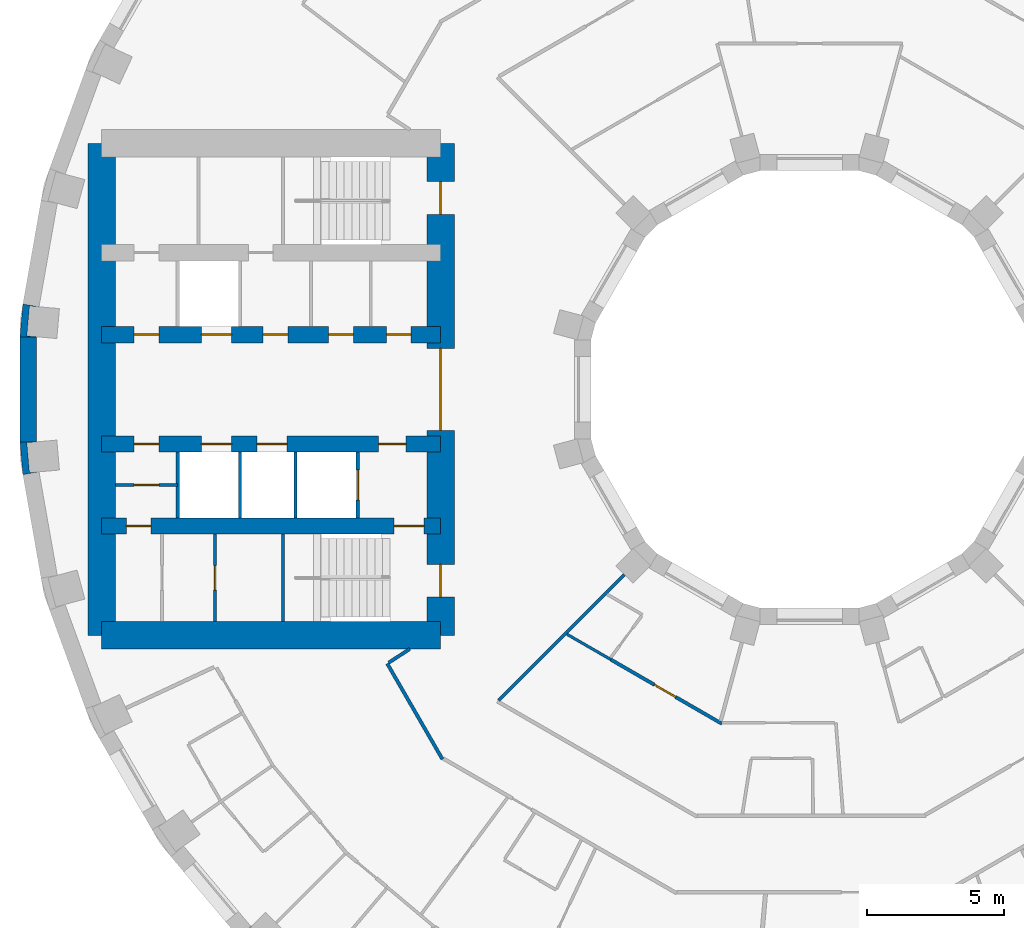
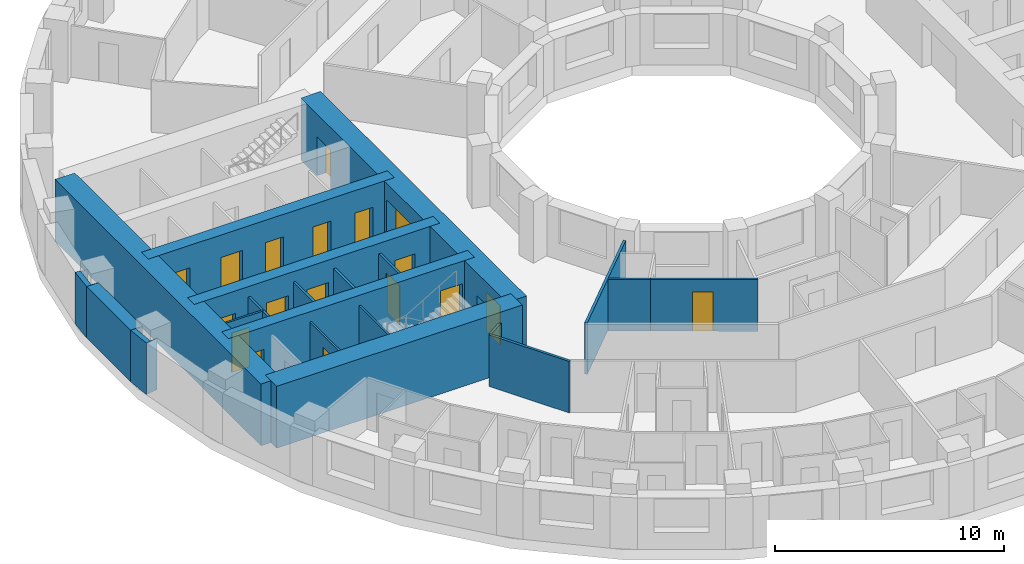
# One storey, part 6 of 15: 21 walls, 18 doors, 18 openings.
"""IFC4 building model written with IfcOpenShell, lengths in metres."""

from ifc_helpers import new_model, si_unit, direction, frame, frame_2d, origin, place, context, subcontext, project, spatial, polyline, rectangle, outline, extrude, material, layer, layer_set, type_object, element, fill, save


model = new_model("IFC4")

# Units and contexts
model_context = context("Model", 3, precision=1e-05, world=origin(), true_north=direction((0.0, 1.0)))
body_context = subcontext(model_context, "Body", "Model", "MODEL_VIEW")
ifc_project = project(units=[si_unit("LENGTHUNIT", "METRE"), si_unit("AREAUNIT", "SQUARE_METRE"), si_unit("VOLUMEUNIT", "CUBIC_METRE"), si_unit("PLANEANGLEUNIT", "RADIAN"), si_unit("MASSUNIT", "GRAM", prefix="KILO")], contexts=[model_context])

# Site, building, storey
site_placement = place(None, origin())
site = spatial("IfcSite", under=ifc_project, at=site_placement, CompositionType="ELEMENT")
building_placement = place(site_placement, origin())
building = spatial("IfcBuilding", under=site, at=building_placement, Name="Saqina Gate Tower", CompositionType="ELEMENT")
storey_placement = place(building_placement, frame((0.0, 0.0, 42.800048828125)))
storey = spatial("IfcBuildingStorey", under=building, at=storey_placement, Name="L11", CompositionType="ELEMENT", Elevation=42.800048828125)

# Walls
ifc_material_1 = material(Name="Brick masonry (red)", Category="masonry")
wall_type_1 = type_object("IfcWallType", Name="BRICK PIER COPING RED", PredefinedType="SOLIDWALL", material=ifc_material_1)
wall_1_placement = place(storey_placement, origin())
element("IfcWall", 1, at=wall_1_placement, inside=storey, type_object=wall_type_1, Name="Pier cap L11 column 18", PredefinedType="SOLIDWALL", context=body_context, shape_type="SweptSolid", body=[
    extrude(outline(polyline([(-28.78466796875, 3.122802734375), (-28.8896484375, 1.9228515625), (-28.28955078125, 1.9228515625), (-28.638671875, 1.95361328125), (-28.54296875, 3.04931640625), (-28.19384765625, 3.018798828125), (-28.78466796875, 3.122802734375)])), origin(), (0.0, 0.0, 1.0), 2.75),
])
wall_2_placement = place(storey_placement, origin())
element("IfcWall", 2, at=wall_2_placement, inside=storey, type_object=wall_type_1, Name="Pier cap L11 column 19", PredefinedType="SOLIDWALL", context=body_context, shape_type="SweptSolid", body=[
    extrude(outline(polyline([(-28.8896484375, -1.9228515625), (-28.78466796875, -3.122802734375), (-28.19384765625, -3.018798828125), (-28.54296875, -3.04931640625), (-28.638671875, -1.95361328125), (-28.28955078125, -1.9228515625), (-28.8896484375, -1.9228515625)])), origin(), (0.0, 0.0, 1.0), 2.75),
])

# Wall, opening, door
ifc_material_2 = material(Name="Gypsum board on steel studs", Category="steel")
ifc_layer_1 = layer(ifc_material_2, 0.10009765625)
ifc_layer_set_1 = layer_set([ifc_layer_1], Name="CORE PARTITION")
wall_type_2 = type_object("IfcWallType", Name="CORE PARTITION", PredefinedType="PARTITIONING", material=ifc_layer_set_1)
wall_3_placement = place(storey_placement, frame((-23.1201171875, -3.5, 0.0), z_axis=(0.0, 0.0, 1.0), x_axis=(-1.0, 0.0, 0.0)))
wall_3 = element("IfcWall", 3, at=wall_3_placement, inside=storey, type_object=wall_type_2, Name="L11-CP-W09", PredefinedType="PARTITIONING", context=body_context, shape_type="SweptSolid", body=[
    extrude(rectangle(XDim=2.27978515625, YDim=0.10009765625, at=frame_2d((1.139892578125, 0.0))), origin(), (0.0, 0.0, 1.0), 2.75),
])
opening_1_placement = place(wall_3_placement, frame((0.68994140625, 0.0, 0.0)))
opening_1 = element("IfcOpeningElement", 4, at=opening_1_placement, cuts=wall_3, Name="Opening G02-D114", PredefinedType="OPENING", context=body_context, shape_type="SweptSolid", body=[
    extrude(rectangle(XDim=0.89990234375, YDim=2.10009765625, at=frame_2d((0.449951171875, 1.050048828125))), frame((0.0, 0.06201171875, 0.0), z_axis=(0.0, -1.0, 0.0), x_axis=(1.0, 0.0, 0.0)), (0.0, 0.0, 1.0), 0.1240234375),
])
ifc_material_3 = material(Name="Steel-framed fire door leaf, EI 60", Category="steel")
door_type_1 = type_object("IfcDoorType", Name="SERVICE ROOM DOOR 900", OperationType="SINGLE_SWING_LEFT", PredefinedType="DOOR", material=ifc_material_3)
door_1_placement = place(opening_1_placement, origin())
door_1 = element("IfcDoor", 5, at=door_1_placement, inside=storey, type_object=door_type_1, Name="L11-CD-W25", OperationType="SINGLE_SWING_RIGHT", OverallHeight=2.10009765625, OverallWidth=0.89990234375, PredefinedType="DOOR", context=body_context, shape_type="SweptSolid", body=[
    extrude(rectangle(XDim=0.89990234375, YDim=2.10009765625, at=frame_2d((0.449951171875, 1.050048828125))), frame((0.0, 0.02490234375, 0.0), z_axis=(0.0, -1.0, 0.0), x_axis=(1.0, 0.0, 0.0)), (0.0, 0.0, 1.0), 0.050048828125),
])
fill(opening_1, door_1)

wall_4_placement = place(storey_placement, frame((-21.751953125, -8.5, 0.0), z_axis=(0.0, 0.0, 1.0), x_axis=(0.0, 1.0, 0.0)))
wall_4 = element("IfcWall", 6, at=wall_4_placement, inside=storey, type_object=wall_type_2, Name="L11-CP-W13", PredefinedType="PARTITIONING", context=body_context, shape_type="SweptSolid", body=[
    extrude(rectangle(XDim=3.199951171875, YDim=0.10009765625, at=frame_2d((1.60009765625, 0.0))), origin(), (0.0, 0.0, 1.0), 2.75),
])
opening_2_placement = place(wall_4_placement, frame((1.14990234375, 0.0, 0.0)))
opening_2 = element("IfcOpeningElement", 7, at=opening_2_placement, cuts=wall_4, Name="Opening G02-D116", PredefinedType="OPENING", context=body_context, shape_type="SweptSolid", body=[
    extrude(rectangle(XDim=0.89990234375, YDim=2.10009765625, at=frame_2d((0.449951171875, 1.050048828125))), frame((0.0, 0.06201171875, 0.0), z_axis=(0.0, -1.0, 0.0), x_axis=(1.0, 0.0, 0.0)), (0.0, 0.0, 1.0), 0.1240234375),
])
door_2_placement = place(opening_2_placement, frame((0.89990234375, 0.0, 0.0), z_axis=(0.0, 0.0, 1.0), x_axis=(-1.0, 0.0, 0.0)))
door_2 = element("IfcDoor", 8, at=door_2_placement, inside=storey, type_object=door_type_1, Name="L11-CD-W27", OperationType="SINGLE_SWING_RIGHT", OverallHeight=2.10009765625, OverallWidth=0.89990234375, PredefinedType="DOOR", context=body_context, shape_type="SweptSolid", body=[
    extrude(rectangle(XDim=0.89990234375, YDim=2.10009765625, at=frame_2d((0.449951171875, 1.050048828125))), frame((0.0, 0.02490234375, 0.0), z_axis=(0.0, -1.0, 0.0), x_axis=(1.0, 0.0, 0.0)), (0.0, 0.0, 1.0), 0.050048828125),
])
fill(opening_2, door_2)

# Walls
ifc_material_4 = material(Name="Glazed ceramic tile", Category="ceramic")
ifc_layer_2 = layer(ifc_material_4, 0.60009765625)
ifc_layer_set_2 = layer_set([ifc_layer_2], Name="FW-TILE")
wall_type_3 = type_object("IfcWallType", Name="FW-TILE", PredefinedType="SOLIDWALL", material=ifc_layer_set_2)
wall_5_placement = place(storey_placement, frame((-28.589599609375, 1.9228515625, 0.0), z_axis=(0.0, 0.0, 1.0), x_axis=(0.0, -1.0, 0.0)))
element("IfcWall", 9, at=wall_5_placement, inside=storey, type_object=wall_type_3, Name="Facade wall L11 facet 18", PredefinedType="SOLIDWALL", context=body_context, shape_type="SweptSolid", body=[
    extrude(rectangle(XDim=3.845703125, YDim=0.60009765625, at=frame_2d((1.9228515625, 0.0))), origin(), (0.0, 0.0, 1.0), 2.75),
])
ifc_material_5 = material(Name="Gypsum board on steel studs, 100 mm", Category="steel")
ifc_layer_3 = layer(ifc_material_5, 0.10009765625)
ifc_layer_set_3 = layer_set([ifc_layer_3], Name="PARTITION 100")
wall_type_4 = type_object("IfcWallType", Name="PARTITION 100", PredefinedType="PARTITIONING", material=ifc_layer_set_3)
wall_6_placement = place(storey_placement, frame((-8.876953125, -8.962158203125, 0.0), z_axis=(0.0, 0.0, 1.0), x_axis=(0.866196532088, -0.499703479875, 0.0)))
element("IfcWall", 10, at=wall_6_placement, inside=storey, type_object=wall_type_4, Name="PARTITION PW3-43", PredefinedType="PARTITIONING", context=body_context, shape_type="SweptSolid", body=[
    extrude(rectangle(XDim=1.856689453125, YDim=0.10009765625, at=frame_2d((0.92822265625, 0.0))), origin(), (0.0, 0.0, 1.0), 2.75),
])
ifc_material_6 = material(Name="Gypsum board on steel studs, 125 mm, fire rated", Category="steel")
ifc_layer_4 = layer(ifc_material_6, 0.125)
ifc_layer_set_4 = layer_set([ifc_layer_4], Name="PARTITION EI 30 125")
wall_type_5 = type_object("IfcWallType", Name="PARTITION EI 30 125", PredefinedType="PARTITIONING", material=ifc_layer_set_4)
wall_7_placement = place(storey_placement, frame((-15.452880859375, -10.034912109375, 0.0), z_axis=(0.0, 0.0, 1.0), x_axis=(0.499949220301, -0.866054719472, 0.0)))
element("IfcWall", 11, at=wall_7_placement, inside=storey, type_object=wall_type_5, Name="PARTITION PW1-03", PredefinedType="PARTITIONING", context=body_context, shape_type="SweptSolid", body=[
    extrude(rectangle(XDim=4.03857421875, YDim=0.125, at=frame_2d((2.019287109375, 0.0))), origin(), (0.0, 0.0, 1.0), 2.75),
])

# Wall, opening, door
wall_8_placement = place(storey_placement, frame((-7.268798828125, -9.889892578125, 0.0), z_axis=(0.0, 0.0, 1.0), x_axis=(0.865954211699, -0.50012328804, 0.0)))
wall_8 = element("IfcWall", 12, at=wall_8_placement, inside=storey, type_object=wall_type_5, Name="PARTITION PW1-18", PredefinedType="PARTITIONING", context=body_context, shape_type="SweptSolid", body=[
    extrude(rectangle(XDim=4.692138671875, YDim=0.125, at=frame_2d((2.34619140625, 0.0))), origin(), (0.0, 0.0, 1.0), 2.75),
])
opening_3_placement = place(wall_8_placement, frame((1.83447265625, 0.0, 0.0)))
opening_3 = element("IfcOpeningElement", 13, at=opening_3_placement, cuts=wall_8, Name="Opening G02-D44", PredefinedType="OPENING", context=body_context, shape_type="SweptSolid", body=[
    extrude(rectangle(XDim=0.89990234375, YDim=2.10009765625, at=frame_2d((0.449951171875, 1.050048828125))), frame((0.0, 0.074462890625, 0.0), z_axis=(0.0, -1.0, 0.0), x_axis=(1.0, 0.0, 0.0)), (0.0, 0.0, 1.0), 0.14892578125),
])
ifc_material_7 = material(Name="Fire door leaf EI 30, 900 mm")
door_type_2 = type_object("IfcDoorType", Name="DOOR 900 EI 30", OperationType="SINGLE_SWING_LEFT", PredefinedType="DOOR", material=ifc_material_7)
door_3_placement = place(opening_3_placement, frame((0.89990234375, 0.0, 0.0), z_axis=(0.0, 0.0, 1.0), x_axis=(-1.0, 0.0, 0.0)))
door_3 = element("IfcDoor", 14, at=door_3_placement, inside=storey, type_object=door_type_2, Name="DOOR G02-D44", OperationType="SINGLE_SWING_RIGHT", OverallHeight=2.10009765625, OverallWidth=0.89990234375, PredefinedType="DOOR", context=body_context, shape_type="SweptSolid", body=[
    extrude(rectangle(XDim=0.89990234375, YDim=2.10009765625, at=frame_2d((0.449951171875, 1.050048828125))), frame((0.0, 0.02490234375, 0.0), z_axis=(0.0, -1.0, 0.0), x_axis=(1.0, 0.0, 0.0)), (0.0, 0.0, 1.0), 0.050048828125),
])
fill(opening_3, door_3)

# Walls
wall_9_placement = place(storey_placement, frame((-15.400634765625, -10.0009765625, 0.0), z_axis=(0.0, 0.0, 1.0), x_axis=(0.838764779401, 0.544493934619, 0.0)))
element("IfcWall", 15, at=wall_9_placement, inside=storey, type_object=wall_type_5, Name="PARTITION PW1-44", PredefinedType="PARTITIONING", context=body_context, shape_type="SweptSolid", body=[
    extrude(rectangle(XDim=0.920166015625, YDim=0.125, at=frame_2d((0.4599609375, 0.0))), origin(), (0.0, 0.0, 1.0), 2.75),
])
wall_10_placement = place(storey_placement, frame((-11.375732421875, -11.375732421875, 0.0), z_axis=(0.0, 0.0, 1.0), x_axis=(0.707106781187, 0.707106781187, 0.0)))
element("IfcWall", 16, at=wall_10_placement, inside=storey, type_object=wall_type_5, Name="PARTITION PW1-46", PredefinedType="PARTITIONING", context=body_context, shape_type="SweptSolid", body=[
    extrude(rectangle(XDim=6.49560546875, YDim=0.125, at=frame_2d((3.247802734375, 0.0))), origin(), (0.0, 0.0, 1.0), 2.75),
])

# Wall, opening, door
ifc_material_8 = material(Name="Autoclaved aerated concrete block", Category="concrete")
ifc_layer_5 = layer(ifc_material_8, 0.1201171875)
ifc_layer_set_5 = layer_set([ifc_layer_5], Name="SHAFT PARTITION")
wall_type_6 = type_object("IfcWallType", Name="SHAFT PARTITION", PredefinedType="PARTITIONING", material=ifc_layer_set_5)
wall_11_placement = place(storey_placement, frame((-16.530029296875, -4.699951171875, 0.0), z_axis=(0.0, 0.0, 1.0), x_axis=(0.0, 1.0, 0.0)))
wall_11 = element("IfcWall", 17, at=wall_11_placement, inside=storey, type_object=wall_type_6, Name="L11-CP-W05", PredefinedType="PARTITIONING", context=body_context, shape_type="SweptSolid", body=[
    extrude(rectangle(XDim=2.39990234375, YDim=0.1201171875, at=frame_2d((1.199951171875, 0.0))), origin(), (0.0, 0.0, 1.0), 2.75),
])
opening_4_placement = place(wall_11_placement, frame((0.64990234375, 0.0, 0.0)))
opening_4 = element("IfcOpeningElement", 18, at=opening_4_placement, cuts=wall_11, Name="Opening G02-LD6", PredefinedType="OPENING", context=body_context, shape_type="SweptSolid", body=[
    extrude(rectangle(XDim=1.10009765625, YDim=2.10009765625, at=frame_2d((0.550048828125, 1.050048828125))), frame((0.0, 0.072021484375, 0.0), z_axis=(0.0, -1.0, 0.0), x_axis=(1.0, 0.0, 0.0)), (0.0, 0.0, 1.0), 0.14404296875),
])
ifc_material_9 = material(Name="Stainless steel", Category="steel")
door_type_3 = type_object("IfcDoorType", Name="LANDING DOOR", OperationType="DOUBLE_DOOR_SLIDING", PredefinedType="DOOR", material=ifc_material_9)
door_4_placement = place(opening_4_placement, origin())
door_4 = element("IfcDoor", 19, at=door_4_placement, inside=storey, type_object=door_type_3, Name="LANDING DOOR FF2", OperationType="DOUBLE_DOOR_SLIDING", OverallHeight=2.10009765625, OverallWidth=1.10009765625, PredefinedType="DOOR", context=body_context, shape_type="SweptSolid", body=[
    extrude(rectangle(XDim=1.10009765625, YDim=2.10009765625, at=frame_2d((0.550048828125, 1.050048828125))), frame((0.0, 0.02490234375, 0.0), z_axis=(0.0, -1.0, 0.0), x_axis=(1.0, 0.0, 0.0)), (0.0, 0.0, 1.0), 0.050048828125),
])
fill(opening_4, door_4)

# Walls
for number, where, z_axis, x_axis, name in (
    (20, (-18.81005859375, -4.699951171875, 0.0), (0.0, 0.0, 1.0), (0.0, 1.0, 0.0), "L11-CP-W06"),
    (21, (-20.840087890625, -4.699951171875, 0.0), (0.0, 0.0, 1.0), (0.0, 1.0, 0.0), "L11-CP-W07"),
    (22, (-23.1201171875, -4.699951171875, 0.0), (0.0, 0.0, 1.0), (0.0, 1.0, 0.0), "L11-CP-W08"),
):
    element("IfcWall", number, at=place(storey_placement, frame(where, z_axis=z_axis, x_axis=x_axis)), inside=storey, type_object=wall_type_6, Name=name, PredefinedType="PARTITIONING", context=body_context, shape_type="SweptSolid", body=[
        extrude(rectangle(XDim=2.39990234375, YDim=0.1201171875, at=frame_2d((1.199951171875, 0.0))), origin(), (0.0, 0.0, 1.0), 2.75),
    ])
ifc_material_10 = material(Name="Autoclaved aerated concrete block", Category="concrete")
ifc_layer_6 = layer(ifc_material_10, 0.10009765625)
ifc_layer_set_6 = layer_set([ifc_layer_6], Name="STAIR ENCLOSURE WALL")
wall_type_7 = type_object("IfcWallType", Name="STAIR ENCLOSURE WALL", PredefinedType="PARTITIONING", material=ifc_layer_set_6)
wall_12_placement = place(storey_placement, frame((-19.27001953125, -8.5, 0.0), z_axis=(0.0, 0.0, 1.0), x_axis=(0.0, 1.0, 0.0)))
element("IfcWall", 23, at=wall_12_placement, inside=storey, type_object=wall_type_7, Name="L11-CP-W12", PredefinedType="PARTITIONING", context=body_context, shape_type="SweptSolid", body=[
    extrude(rectangle(XDim=3.199951171875, YDim=0.10009765625, at=frame_2d((1.60009765625, 0.0))), origin(), (0.0, 0.0, 1.0), 2.75),
])

# Wall, openings, doors
ifc_material_11 = material(Name="Concrete C70/85", Category="concrete")
ifc_layer_7 = layer(ifc_material_11, 0.60009765625)
ifc_layer_set_7 = layer_set([ifc_layer_7], Name="Concrete C70/85")
wall_type_8 = type_object("IfcWallType", Name="STR-CORE WALL-A-I", PredefinedType="SHEAR", material=ifc_layer_set_7)
wall_13_placement = place(storey_placement, frame((-13.5, -5.0, 0.0), z_axis=(0.0, 0.0, 1.0), x_axis=(-1.0, 0.0, 0.0)))
wall_13 = element("IfcWall", 24, at=wall_13_placement, inside=storey, type_object=wall_type_8, Name="CORE WALL L11 W-X2", PredefinedType="SHEAR", context=body_context, shape_type="SweptSolid", body=[
    extrude(rectangle(XDim=12.39990234375, YDim=0.60009765625, at=frame_2d((6.199951171875, 0.0))), origin(), (0.0, 0.0, 1.0), 3.300048828125),
])
opening_5_placement = place(wall_13_placement, frame((10.598876953125, 0.0, 0.0)))
opening_5 = element("IfcOpeningElement", 25, at=opening_5_placement, cuts=wall_13, Name="Opening G02-D117", PredefinedType="OPENING", context=body_context, shape_type="SweptSolid", body=[
    extrude(rectangle(XDim=0.89990234375, YDim=2.10009765625, at=frame_2d((0.449951171875, 1.050048828125))), frame((0.0, 0.31201171875, 0.0), z_axis=(0.0, -1.0, 0.0), x_axis=(1.0, 0.0, 0.0)), (0.0, 0.0, 1.0), 0.6240234375),
])
opening_6_placement = place(wall_13_placement, frame((0.60009765625, 0.0, 0.0)))
opening_6 = element("IfcOpeningElement", 26, at=opening_6_placement, cuts=wall_13, Name="Opening G02-D118", PredefinedType="OPENING", context=body_context, shape_type="SweptSolid", body=[
    extrude(rectangle(XDim=1.10009765625, YDim=2.10009765625, at=frame_2d((0.550048828125, 1.050048828125))), frame((0.0, 0.31201171875, 0.0), z_axis=(0.0, -1.0, 0.0), x_axis=(1.0, 0.0, 0.0)), (0.0, 0.0, 1.0), 0.6240234375),
])
ifc_material_12 = material(Name="Steel", Category="steel")
door_type_4 = type_object("IfcDoorType", Name="FIRE LOBBY DOOR EI 60 WIDE", OperationType="SINGLE_SWING_LEFT", PredefinedType="DOOR", material=ifc_material_12)
door_5_placement = place(opening_6_placement, origin())
door_5 = element("IfcDoor", 27, at=door_5_placement, inside=storey, type_object=door_type_4, Name="L11-CD-W29", OperationType="SINGLE_SWING_LEFT", OverallHeight=2.10009765625, OverallWidth=1.10009765625, PredefinedType="DOOR", context=body_context, shape_type="SweptSolid", body=[
    extrude(rectangle(XDim=1.10009765625, YDim=2.10009765625, at=frame_2d((0.550048828125, 1.050048828125))), frame((0.0, 0.02490234375, 0.0), z_axis=(0.0, -1.0, 0.0), x_axis=(1.0, 0.0, 0.0)), (0.0, 0.0, 1.0), 0.050048828125),
])
fill(opening_6, door_5)
door_6_placement = place(opening_5_placement, origin())
door_6 = element("IfcDoor", 28, at=door_6_placement, inside=storey, type_object=door_type_1, Name="L11-CD-W28", OperationType="SINGLE_SWING_RIGHT", OverallHeight=2.10009765625, OverallWidth=0.89990234375, PredefinedType="DOOR", context=body_context, shape_type="SweptSolid", body=[
    extrude(rectangle(XDim=0.89990234375, YDim=2.10009765625, at=frame_2d((0.449951171875, 1.050048828125))), frame((0.0, 0.02490234375, 0.0), z_axis=(0.0, -1.0, 0.0), x_axis=(1.0, 0.0, 0.0)), (0.0, 0.0, 1.0), 0.050048828125),
])
fill(opening_5, door_6)

wall_14_placement = place(storey_placement, frame((-13.5, 2.0, 0.0), z_axis=(0.0, 0.0, 1.0), x_axis=(-1.0, 0.0, 0.0)))
wall_14 = element("IfcWall", 29, at=wall_14_placement, inside=storey, type_object=wall_type_8, Name="CORE WALL L11 W-L1", PredefinedType="SHEAR", context=body_context, shape_type="SweptSolid", body=[
    extrude(rectangle(XDim=12.39990234375, YDim=0.60009765625, at=frame_2d((6.199951171875, 0.0))), origin(), (0.0, 0.0, 1.0), 3.300048828125),
])
opening_7_placement = place(wall_14_placement, frame((7.64990234375, 0.0, 0.0)))
opening_7 = element("IfcOpeningElement", 30, at=opening_7_placement, cuts=wall_14, Name="Opening G02-LD5", PredefinedType="OPENING", context=body_context, shape_type="SweptSolid", body=[
    extrude(rectangle(XDim=1.10009765625, YDim=2.10009765625, at=frame_2d((0.550048828125, 1.050048828125))), frame((0.0, 0.31201171875, 0.0), z_axis=(0.0, -1.0, 0.0), x_axis=(1.0, 0.0, 0.0)), (0.0, 0.0, 1.0), 0.6240234375),
])
opening_8_placement = place(wall_14_placement, frame((1.075927734375, 0.0, 0.0)))
opening_8 = element("IfcOpeningElement", 31, at=opening_8_placement, cuts=wall_14, Name="Opening G02-D106", PredefinedType="OPENING", context=body_context, shape_type="SweptSolid", body=[
    extrude(rectangle(XDim=0.89990234375, YDim=2.10009765625, at=frame_2d((0.449951171875, 1.050048828125))), frame((0.0, 0.31201171875, 0.0), z_axis=(0.0, -1.0, 0.0), x_axis=(1.0, 0.0, 0.0)), (0.0, 0.0, 1.0), 0.6240234375),
])
opening_9_placement = place(wall_14_placement, frame((3.1962890625, 0.0, 0.0)))
opening_9 = element("IfcOpeningElement", 32, at=opening_9_placement, cuts=wall_14, Name="Opening G02-D107", PredefinedType="OPENING", context=body_context, shape_type="SweptSolid", body=[
    extrude(rectangle(XDim=0.89990234375, YDim=2.10009765625, at=frame_2d((0.449951171875, 1.050048828125))), frame((0.0, 0.31201171875, 0.0), z_axis=(0.0, -1.0, 0.0), x_axis=(1.0, 0.0, 0.0)), (0.0, 0.0, 1.0), 0.6240234375),
])
opening_10_placement = place(wall_14_placement, frame((5.59033203125, 0.0, 0.0)))
opening_10 = element("IfcOpeningElement", 33, at=opening_10_placement, cuts=wall_14, Name="Opening G02-D108", PredefinedType="OPENING", context=body_context, shape_type="SweptSolid", body=[
    extrude(rectangle(XDim=0.89990234375, YDim=2.10009765625, at=frame_2d((0.449951171875, 1.050048828125))), frame((0.0, 0.31201171875, 0.0), z_axis=(0.0, -1.0, 0.0), x_axis=(1.0, 0.0, 0.0)), (0.0, 0.0, 1.0), 0.6240234375),
])
opening_11_placement = place(wall_14_placement, frame((10.31005859375, 0.0, 0.0)))
opening_11 = element("IfcOpeningElement", 34, at=opening_11_placement, cuts=wall_14, Name="Opening G02-D109", PredefinedType="OPENING", context=body_context, shape_type="SweptSolid", body=[
    extrude(rectangle(XDim=0.89990234375, YDim=2.10009765625, at=frame_2d((0.449951171875, 1.050048828125))), frame((0.0, 0.31201171875, 0.0), z_axis=(0.0, -1.0, 0.0), x_axis=(1.0, 0.0, 0.0)), (0.0, 0.0, 1.0), 0.6240234375),
])
door_7_placement = place(opening_7_placement, origin())
door_7 = element("IfcDoor", 35, at=door_7_placement, inside=storey, type_object=door_type_3, Name="LANDING DOOR LR4", OperationType="DOUBLE_DOOR_SLIDING", OverallHeight=2.10009765625, OverallWidth=1.10009765625, PredefinedType="DOOR", context=body_context, shape_type="SweptSolid", body=[
    extrude(rectangle(XDim=1.10009765625, YDim=2.10009765625, at=frame_2d((0.550048828125, 1.050048828125))), frame((0.0, 0.02490234375, 0.0), z_axis=(0.0, -1.0, 0.0), x_axis=(1.0, 0.0, 0.0)), (0.0, 0.0, 1.0), 0.050048828125),
])
fill(opening_7, door_7)
door_8_placement = place(opening_8_placement, frame((0.89990234375, 0.0, 0.0), z_axis=(0.0, 0.0, 1.0), x_axis=(-1.0, 0.0, 0.0)))
door_8 = element("IfcDoor", 36, at=door_8_placement, inside=storey, type_object=door_type_1, Name="L11-CD-W17", OperationType="SINGLE_SWING_LEFT", OverallHeight=2.10009765625, OverallWidth=0.89990234375, PredefinedType="DOOR", context=body_context, shape_type="SweptSolid", body=[
    extrude(rectangle(XDim=0.89990234375, YDim=2.10009765625, at=frame_2d((0.449951171875, 1.050048828125))), frame((0.0, 0.02490234375, 0.0), z_axis=(0.0, -1.0, 0.0), x_axis=(1.0, 0.0, 0.0)), (0.0, 0.0, 1.0), 0.050048828125),
])
fill(opening_8, door_8)
door_9_placement = place(opening_9_placement, frame((0.89990234375, 0.0, 0.0), z_axis=(0.0, 0.0, 1.0), x_axis=(-1.0, 0.0, 0.0)))
door_9 = element("IfcDoor", 37, at=door_9_placement, inside=storey, type_object=door_type_1, Name="L11-CD-W18", OperationType="SINGLE_SWING_RIGHT", OverallHeight=2.10009765625, OverallWidth=0.89990234375, PredefinedType="DOOR", context=body_context, shape_type="SweptSolid", body=[
    extrude(rectangle(XDim=0.89990234375, YDim=2.10009765625, at=frame_2d((0.449951171875, 1.050048828125))), frame((0.0, 0.02490234375, 0.0), z_axis=(0.0, -1.0, 0.0), x_axis=(1.0, 0.0, 0.0)), (0.0, 0.0, 1.0), 0.050048828125),
])
fill(opening_9, door_9)
door_10_placement = place(opening_10_placement, frame((0.89990234375, 0.0, 0.0), z_axis=(0.0, 0.0, 1.0), x_axis=(-1.0, 0.0, 0.0)))
door_10 = element("IfcDoor", 38, at=door_10_placement, inside=storey, type_object=door_type_1, Name="L11-CD-W19", OperationType="SINGLE_SWING_RIGHT", OverallHeight=2.10009765625, OverallWidth=0.89990234375, PredefinedType="DOOR", context=body_context, shape_type="SweptSolid", body=[
    extrude(rectangle(XDim=0.89990234375, YDim=2.10009765625, at=frame_2d((0.449951171875, 1.050048828125))), frame((0.0, 0.02490234375, 0.0), z_axis=(0.0, -1.0, 0.0), x_axis=(1.0, 0.0, 0.0)), (0.0, 0.0, 1.0), 0.050048828125),
])
fill(opening_10, door_10)
door_11_placement = place(opening_11_placement, frame((0.89990234375, 0.0, 0.0), z_axis=(0.0, 0.0, 1.0), x_axis=(-1.0, 0.0, 0.0)))
door_11 = element("IfcDoor", 39, at=door_11_placement, inside=storey, type_object=door_type_1, Name="L11-CD-W20", OperationType="SINGLE_SWING_LEFT", OverallHeight=2.10009765625, OverallWidth=0.89990234375, PredefinedType="DOOR", context=body_context, shape_type="SweptSolid", body=[
    extrude(rectangle(XDim=0.89990234375, YDim=2.10009765625, at=frame_2d((0.449951171875, 1.050048828125))), frame((0.0, 0.02490234375, 0.0), z_axis=(0.0, -1.0, 0.0), x_axis=(1.0, 0.0, 0.0)), (0.0, 0.0, 1.0), 0.050048828125),
])
fill(opening_11, door_11)

wall_15_placement = place(storey_placement, frame((-13.5, -2.0, 0.0), z_axis=(0.0, 0.0, 1.0), x_axis=(-1.0, 0.0, 0.0)))
wall_15 = element("IfcWall", 40, at=wall_15_placement, inside=storey, type_object=wall_type_8, Name="CORE WALL L11 W-L2", PredefinedType="SHEAR", context=body_context, shape_type="SweptSolid", body=[
    extrude(rectangle(XDim=12.39990234375, YDim=0.60009765625, at=frame_2d((6.199951171875, 0.0))), origin(), (0.0, 0.0, 1.0), 3.300048828125),
])
opening_12_placement = place(wall_15_placement, frame((5.6201171875, 0.0, 0.0)))
opening_12 = element("IfcOpeningElement", 41, at=opening_12_placement, cuts=wall_15, Name="Opening G02-LD7", PredefinedType="OPENING", context=body_context, shape_type="SweptSolid", body=[
    extrude(rectangle(XDim=1.10009765625, YDim=2.10009765625, at=frame_2d((0.550048828125, 1.050048828125))), frame((0.0, 0.31201171875, 0.0), z_axis=(0.0, -1.0, 0.0), x_axis=(1.0, 0.0, 0.0)), (0.0, 0.0, 1.0), 0.6240234375),
])
opening_13_placement = place(wall_15_placement, frame((7.64990234375, 0.0, 0.0)))
opening_13 = element("IfcOpeningElement", 42, at=opening_13_placement, cuts=wall_15, Name="Opening G02-LD8", PredefinedType="OPENING", context=body_context, shape_type="SweptSolid", body=[
    extrude(rectangle(XDim=1.10009765625, YDim=2.10009765625, at=frame_2d((0.550048828125, 1.050048828125))), frame((0.0, 0.31201171875, 0.0), z_axis=(0.0, -1.0, 0.0), x_axis=(1.0, 0.0, 0.0)), (0.0, 0.0, 1.0), 0.6240234375),
])
opening_14_placement = place(wall_15_placement, frame((1.264892578125, 0.0, 0.0)))
opening_14 = element("IfcOpeningElement", 43, at=opening_14_placement, cuts=wall_15, Name="Opening G02-D110", PredefinedType="OPENING", context=body_context, shape_type="SweptSolid", body=[
    extrude(rectangle(XDim=1.0, YDim=2.10009765625, at=frame_2d((0.5, 1.050048828125))), frame((0.0, 0.31201171875, 0.0), z_axis=(0.0, -1.0, 0.0), x_axis=(1.0, 0.0, 0.0)), (0.0, 0.0, 1.0), 0.6240234375),
])
opening_15_placement = place(wall_15_placement, frame((10.31005859375, 0.0, 0.0)))
opening_15 = element("IfcOpeningElement", 44, at=opening_15_placement, cuts=wall_15, Name="Opening G02-D111", PredefinedType="OPENING", context=body_context, shape_type="SweptSolid", body=[
    extrude(rectangle(XDim=0.89990234375, YDim=2.10009765625, at=frame_2d((0.449951171875, 1.050048828125))), frame((0.0, 0.31201171875, 0.0), z_axis=(0.0, -1.0, 0.0), x_axis=(1.0, 0.0, 0.0)), (0.0, 0.0, 1.0), 0.6240234375),
])
ifc_material_13 = material(Name="Steel", Category="steel")
door_type_5 = type_object("IfcDoorType", Name="FIRE LOBBY DOOR EI 60", OperationType="SINGLE_SWING_LEFT", PredefinedType="DOOR", material=ifc_material_13)
door_12_placement = place(opening_14_placement, frame((1.0, 0.0, 0.0), z_axis=(0.0, 0.0, 1.0), x_axis=(-1.0, 0.0, 0.0)))
door_12 = element("IfcDoor", 45, at=door_12_placement, inside=storey, type_object=door_type_5, Name="L11-CD-W21", OperationType="SINGLE_SWING_RIGHT", OverallHeight=2.10009765625, OverallWidth=1.0, PredefinedType="DOOR", context=body_context, shape_type="SweptSolid", body=[
    extrude(rectangle(XDim=1.0, YDim=2.10009765625, at=frame_2d((0.5, 1.050048828125))), frame((0.0, 0.02490234375, 0.0), z_axis=(0.0, -1.0, 0.0), x_axis=(1.0, 0.0, 0.0)), (0.0, 0.0, 1.0), 0.050048828125),
])
fill(opening_14, door_12)
door_13_placement = place(opening_12_placement, origin())
door_13 = element("IfcDoor", 46, at=door_13_placement, inside=storey, type_object=door_type_3, Name="LANDING DOOR LR6", OperationType="DOUBLE_DOOR_SLIDING", OverallHeight=2.10009765625, OverallWidth=1.10009765625, PredefinedType="DOOR", context=body_context, shape_type="SweptSolid", body=[
    extrude(rectangle(XDim=1.10009765625, YDim=2.10009765625, at=frame_2d((0.550048828125, 1.050048828125))), frame((0.0, 0.02490234375, 0.0), z_axis=(0.0, -1.0, 0.0), x_axis=(1.0, 0.0, 0.0)), (0.0, 0.0, 1.0), 0.050048828125),
])
fill(opening_12, door_13)
door_14_placement = place(opening_13_placement, origin())
door_14 = element("IfcDoor", 47, at=door_14_placement, inside=storey, type_object=door_type_3, Name="LANDING DOOR LR5", OperationType="DOUBLE_DOOR_SLIDING", OverallHeight=2.10009765625, OverallWidth=1.10009765625, PredefinedType="DOOR", context=body_context, shape_type="SweptSolid", body=[
    extrude(rectangle(XDim=1.10009765625, YDim=2.10009765625, at=frame_2d((0.550048828125, 1.050048828125))), frame((0.0, 0.02490234375, 0.0), z_axis=(0.0, -1.0, 0.0), x_axis=(1.0, 0.0, 0.0)), (0.0, 0.0, 1.0), 0.050048828125),
])
fill(opening_13, door_14)
door_15_placement = place(opening_15_placement, origin())
door_15 = element("IfcDoor", 48, at=door_15_placement, inside=storey, type_object=door_type_1, Name="L11-CD-W22", OperationType="SINGLE_SWING_RIGHT", OverallHeight=2.10009765625, OverallWidth=0.89990234375, PredefinedType="DOOR", context=body_context, shape_type="SweptSolid", body=[
    extrude(rectangle(XDim=0.89990234375, YDim=2.10009765625, at=frame_2d((0.449951171875, 1.050048828125))), frame((0.0, 0.02490234375, 0.0), z_axis=(0.0, -1.0, 0.0), x_axis=(1.0, 0.0, 0.0)), (0.0, 0.0, 1.0), 0.050048828125),
])
fill(opening_15, door_15)

ifc_material_14 = material(Name="Concrete C70/85", Category="concrete")
ifc_layer_8 = layer(ifc_material_14, 1.0)
ifc_layer_set_8 = layer_set([ifc_layer_8], Name="Concrete C70/85")
wall_type_9 = type_object("IfcWallType", Name="STR-CORE WALL-A-O", PredefinedType="SHEAR", material=ifc_layer_set_8)
wall_16_placement = place(storey_placement, frame((-13.5, -9.0, 0.0), z_axis=(0.0, 0.0, 1.0), x_axis=(0.0, 1.0, 0.0)))
wall_16 = element("IfcWall", 49, at=wall_16_placement, inside=storey, type_object=wall_type_9, Name="CORE WALL L11 W-W1", PredefinedType="SHEAR", context=body_context, shape_type="SweptSolid", body=[
    extrude(rectangle(XDim=18.0, YDim=1.0, at=frame_2d((9.0, 0.0))), origin(), (0.0, 0.0, 1.0), 3.300048828125),
])
opening_16_placement = place(wall_16_placement, frame((15.39990234375, 0.0, 0.0)))
opening_16 = element("IfcOpeningElement", 50, at=opening_16_placement, cuts=wall_16, Name="Opening G02-D119", PredefinedType="OPENING", context=body_context, shape_type="SweptSolid", body=[
    extrude(rectangle(XDim=1.199951171875, YDim=2.10009765625, at=frame_2d((0.60009765625, 1.050048828125))), frame((0.0, 0.511962890625, 0.0), z_axis=(0.0, -1.0, 0.0), x_axis=(1.0, 0.0, 0.0)), (0.0, 0.0, 1.0), 1.02392578125),
])
opening_17_placement = place(wall_16_placement, frame((1.39990234375, 0.0, 0.0)))
opening_17 = element("IfcOpeningElement", 51, at=opening_17_placement, cuts=wall_16, Name="Opening G02-D120", PredefinedType="OPENING", context=body_context, shape_type="SweptSolid", body=[
    extrude(rectangle(XDim=1.199951171875, YDim=2.10009765625, at=frame_2d((0.60009765625, 1.050048828125))), frame((0.0, 0.511962890625, 0.0), z_axis=(0.0, -1.0, 0.0), x_axis=(1.0, 0.0, 0.0)), (0.0, 0.0, 1.0), 1.02392578125),
])
opening_18_placement = place(wall_16_placement, frame((7.5, 0.0, 0.0)))
opening_18 = element("IfcOpeningElement", 52, at=opening_18_placement, cuts=wall_16, Name="Opening G02-D121", PredefinedType="OPENING", context=body_context, shape_type="SweptSolid", body=[
    extrude(rectangle(XDim=3.0, YDim=2.39990234375, at=frame_2d((1.5, 1.199951171875))), frame((0.0, 0.511962890625, 0.0), z_axis=(0.0, -1.0, 0.0), x_axis=(1.0, 0.0, 0.0)), (0.0, 0.0, 1.0), 1.02392578125),
])
ifc_material_15 = material(Name="Steel", Category="steel")
door_type_6 = type_object("IfcDoorType", Name="FIRE DOOR EI 60", OperationType="SINGLE_SWING_LEFT", PredefinedType="DOOR", material=ifc_material_15)
door_16_placement = place(opening_16_placement, origin())
door_16 = element("IfcDoor", 53, at=door_16_placement, inside=storey, type_object=door_type_6, Name="L11-CD-W30", OperationType="SINGLE_SWING_RIGHT", OverallHeight=2.10009765625, OverallWidth=1.199951171875, PredefinedType="DOOR", context=body_context, shape_type="SweptSolid", body=[
    extrude(rectangle(XDim=1.199951171875, YDim=2.10009765625, at=frame_2d((0.60009765625, 1.050048828125))), frame((0.0, 0.02490234375, 0.0), z_axis=(0.0, -1.0, 0.0), x_axis=(1.0, 0.0, 0.0)), (0.0, 0.0, 1.0), 0.050048828125),
])
fill(opening_16, door_16)
door_17_placement = place(opening_17_placement, origin())
door_17 = element("IfcDoor", 54, at=door_17_placement, inside=storey, type_object=door_type_6, Name="L11-CD-W31", OperationType="SINGLE_SWING_LEFT", OverallHeight=2.10009765625, OverallWidth=1.199951171875, PredefinedType="DOOR", context=body_context, shape_type="SweptSolid", body=[
    extrude(rectangle(XDim=1.199951171875, YDim=2.10009765625, at=frame_2d((0.60009765625, 1.050048828125))), frame((0.0, 0.02490234375, 0.0), z_axis=(0.0, -1.0, 0.0), x_axis=(1.0, 0.0, 0.0)), (0.0, 0.0, 1.0), 0.050048828125),
])
fill(opening_17, door_17)
ifc_material_16 = material(Name="Steel and fire-resisting glass", Category="steel")
door_type_7 = type_object("IfcDoorType", Name="LOBBY SCREEN DOOR", OperationType="DOUBLE_DOOR_SLIDING", PredefinedType="DOOR", material=ifc_material_16)
door_18_placement = place(opening_18_placement, origin())
door_18 = element("IfcDoor", 55, at=door_18_placement, inside=storey, type_object=door_type_7, Name="L11-CD-W32", OperationType="DOUBLE_DOOR_SLIDING", OverallHeight=2.39990234375, OverallWidth=3.0, PredefinedType="DOOR", context=body_context, shape_type="SweptSolid", body=[
    extrude(rectangle(XDim=3.0, YDim=2.39990234375, at=frame_2d((1.5, 1.199951171875))), frame((0.0, 0.02490234375, 0.0), z_axis=(0.0, -1.0, 0.0), x_axis=(1.0, 0.0, 0.0)), (0.0, 0.0, 1.0), 0.050048828125),
])
fill(opening_18, door_18)

# Walls
wall_17_placement = place(storey_placement, frame((-25.89990234375, -9.0, 0.0), z_axis=(0.0, 0.0, 1.0), x_axis=(0.0, 1.0, 0.0)))
element("IfcWall", 56, at=wall_17_placement, inside=storey, type_object=wall_type_9, Name="CORE WALL L11 W-W2", PredefinedType="SHEAR", context=body_context, shape_type="SweptSolid", body=[
    extrude(rectangle(XDim=18.0, YDim=1.0, at=frame_2d((9.0, 0.0))), origin(), (0.0, 0.0, 1.0), 3.300048828125),
])
wall_18_placement = place(storey_placement, frame((-13.5, -9.0, 0.0), z_axis=(0.0, 0.0, 1.0), x_axis=(-1.0, 0.0, 0.0)))
element("IfcWall", 57, at=wall_18_placement, inside=storey, type_object=wall_type_9, Name="CORE WALL L11 W-SE", PredefinedType="SHEAR", context=body_context, shape_type="SweptSolid", body=[
    extrude(rectangle(XDim=12.39990234375, YDim=1.0, at=frame_2d((6.199951171875, 0.0))), origin(), (0.0, 0.0, 1.0), 3.300048828125),
])

save(model, "model.ifc")
